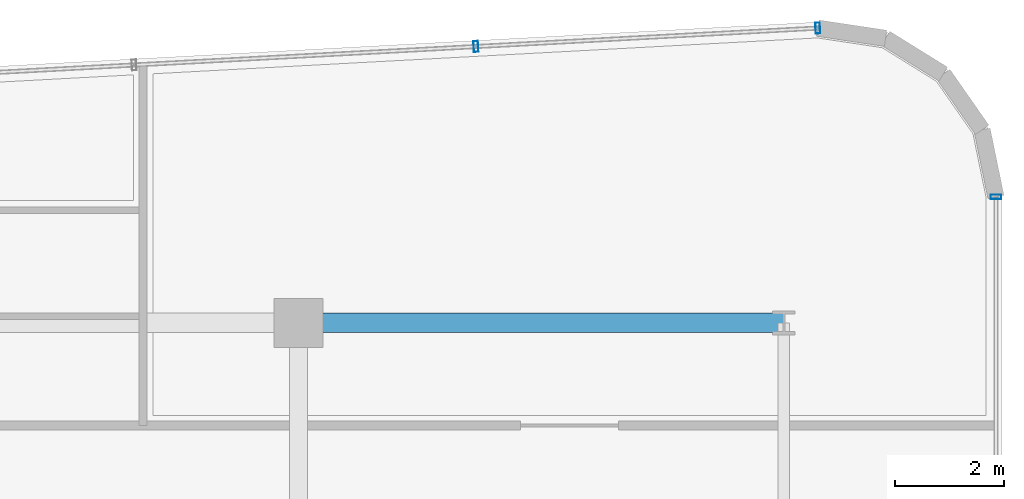
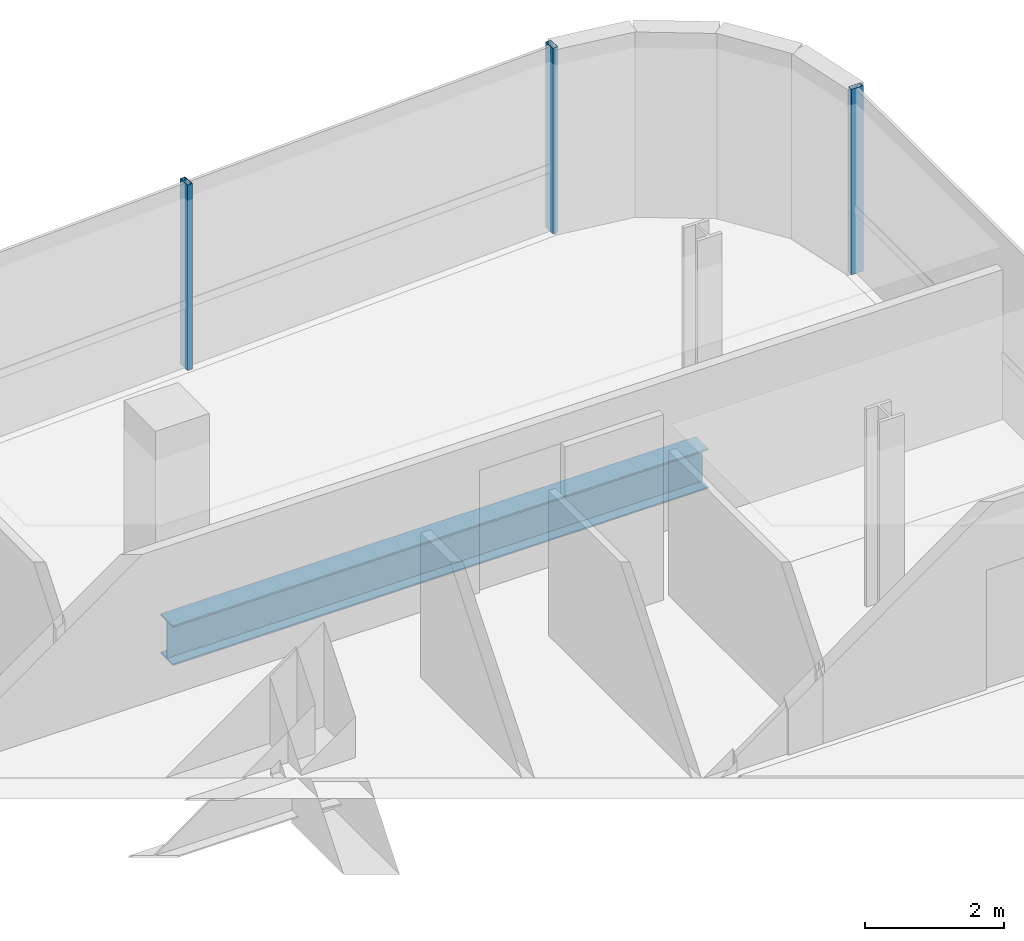
# One storey, part 16 of 24: 3 members, 1 beam, 2 elements without a shape of their own.
"""IFC4 building model written with IfcOpenShell, lengths in metres."""

from ifc_helpers import new_model, si_unit, direction, frame, origin, origin_2d, place, context, subcontext, project, spatial, hollow_rectangle, i_section, extrude, source, transform, mapped, material, material_profile, profile_set, type_object, element, aggregate, save


model = new_model("IFC4")

# Units and contexts
model_context = context("Model", 3, precision=1e-05, world=origin(), true_north=direction((0.0, 1.0)))
body_context = subcontext(model_context, "Body", "Model", "MODEL_VIEW")
ifc_project = project(units=[si_unit("LENGTHUNIT", "METRE"), si_unit("AREAUNIT", "SQUARE_METRE"), si_unit("VOLUMEUNIT", "CUBIC_METRE"), si_unit("PLANEANGLEUNIT", "RADIAN"), si_unit("MASSUNIT", "GRAM", prefix="KILO")], contexts=[model_context])

# Site, building, storey
site_placement = place(None, origin())
site = spatial("IfcSite", under=ifc_project, at=site_placement, CompositionType="ELEMENT")
building_placement = place(site_placement, origin())
building = spatial("IfcBuilding", under=site, at=building_placement, Name="Valdorenza Pilgrim Sanctuary Tower", CompositionType="ELEMENT")
storey_placement = place(building_placement, frame((0.0, 0.0, 205.5)))
storey = spatial("IfcBuildingStorey", under=building, at=storey_placement, Name="L52", CompositionType="ELEMENT", Elevation=205.5)

# Beam
ifc_material_1 = material(Name="Steel ASTM A992 Grade 50", Category="steel")
ifc_material_profile_1 = material_profile(ifc_material_1, i_section(OverallWidth=0.35595703125, OverallDepth=0.700927734375, WebThickness=0.016845703125, FlangeThickness=0.02734375, at=origin_2d()), Name="W27X161")
ifc_profile_set_1 = profile_set([ifc_material_profile_1], Name="Steel ASTM A992 Grade 50")
beam_type = type_object("IfcBeamType", Name="STR-BM-GRD-W27", PredefinedType="BEAM", material=ifc_profile_set_1)
shared_shape_1 = source(origin(), body_context, "Body", "SweptSolid", [
    extrude(i_section(OverallWidth=0.35595703125, OverallDepth=0.700927734375, WebThickness=0.016845703125, FlangeThickness=0.02734375, at=origin_2d()), origin(), (0.0, 0.0, 1.0), 8.89990234375),
])
beam_placement = place(storey_placement, frame((-12.39990234375, 14.800048828125, -0.590576171875), z_axis=(1.0, 0.0, 0.0), x_axis=(0.0, 1.0, 0.0)))
element("IfcBeam", 1, at=beam_placement, inside=storey, type_object=beam_type, Name="L52 Floor Girder UWA-KG2", PredefinedType="BEAM", context=body_context, shape_type="MappedRepresentation", body=[
    mapped(shared_shape_1, transform((0.0, 0.0, 0.0), x_axis=(1.0, 0.0, 0.0), y_axis=(0.0, 1.0, 0.0), z_axis=(0.0, 0.0, 1.0), scale=1.0)),
])

# Curtain wall, members
ifc_material_2 = material(Name="Curtain-wall IGU glazing", Category="glass")
curtain_wall_type = type_object("IfcCurtainWallType", Name="CW-SYS-02", PredefinedType="NOTDEFINED", material=ifc_material_2)
curtain_wall_1_placement = place(storey_placement, origin())
curtain_wall_1 = element("IfcCurtainWall", 2, at=curtain_wall_1_placement, inside=storey, type_object=curtain_wall_type, Name="L52 Curtain Wall CW-L52-1-6", PredefinedType="NOTDEFINED")
ifc_material_3 = material(Name="Anodised aluminium AW-6060", Category="aluminium")
ifc_material_profile_2 = material_profile(ifc_material_3, hollow_rectangle(XDim=0.0849609375, YDim=0.199951171875, WallThickness=0.0048828125, at=origin_2d()), Name="ALU-M 200x85x5")
ifc_profile_set_2 = profile_set([ifc_material_profile_2], Name="Anodised aluminium AW-6060")
member_type = type_object("IfcMemberType", Name="CW-MUL-02", PredefinedType="MULLION", material=ifc_profile_set_2)
shared_shape_2 = source(origin(), body_context, "Body", "SweptSolid", [
    extrude(hollow_rectangle(XDim=0.0849609375, YDim=0.199951171875, WallThickness=0.0048828125, at=origin_2d()), origin(), (0.0, 0.0, 1.0), 3.260009765625),
])
member_1_placement = place(storey_placement, frame((-9.147216796875, 19.869140625, 0.0), z_axis=(0.0, 0.0, 1.0), x_axis=(0.998547034311, 0.053887106711, 0.0)))
member_1 = element("IfcMember", 3, at=member_1_placement, type_object=member_type, Name="CW-L52-1-6 Mullion 4", PredefinedType="MULLION", context=body_context, shape_type="MappedRepresentation", body=[
    mapped(shared_shape_2, transform((0.0, 0.0, 0.0), x_axis=(1.0, 0.0, 0.0), y_axis=(0.0, 1.0, 0.0), z_axis=(0.0, 0.0, 1.0), scale=1.0)),
])
member_2_placement = place(storey_placement, frame((-2.877685546875, 20.20751953125, 0.0), z_axis=(0.0, 0.0, 1.0), x_axis=(0.998547034311, 0.053887106711, 0.0)))
member_2 = element("IfcMember", 4, at=member_2_placement, type_object=member_type, Name="CW-L52-1-6 Mullion 5", PredefinedType="MULLION", context=body_context, shape_type="MappedRepresentation", body=[
    mapped(shared_shape_2, transform((0.0, 0.0, 0.0), x_axis=(1.0, 0.0, 0.0), y_axis=(0.0, 1.0, 0.0), z_axis=(0.0, 0.0, 1.0), scale=1.0)),
])
aggregate(curtain_wall_1, [member_1, member_2])

# Curtain wall, member
curtain_wall_2_placement = place(storey_placement, origin())
curtain_wall_2 = element("IfcCurtainWall", 5, at=curtain_wall_2_placement, inside=storey, type_object=curtain_wall_type, Name="L52 Curtain Wall CW-L52-1-11", PredefinedType="NOTDEFINED")
member_3_placement = place(storey_placement, frame((0.389892578125, 17.111328125, 0.0), z_axis=(0.0, 0.0, 1.0), x_axis=(0.0, -1.0, 0.0)))
member_3 = element("IfcMember", 6, at=member_3_placement, type_object=member_type, Name="CW-L52-1-11 Mullion 1", PredefinedType="MULLION", context=body_context, shape_type="MappedRepresentation", body=[
    mapped(shared_shape_2, transform((0.0, 0.0, 0.0), x_axis=(1.0, 0.0, 0.0), y_axis=(0.0, 1.0, 0.0), z_axis=(0.0, 0.0, 1.0), scale=1.0)),
])
aggregate(curtain_wall_2, [member_3])

save(model, "model.ifc")
